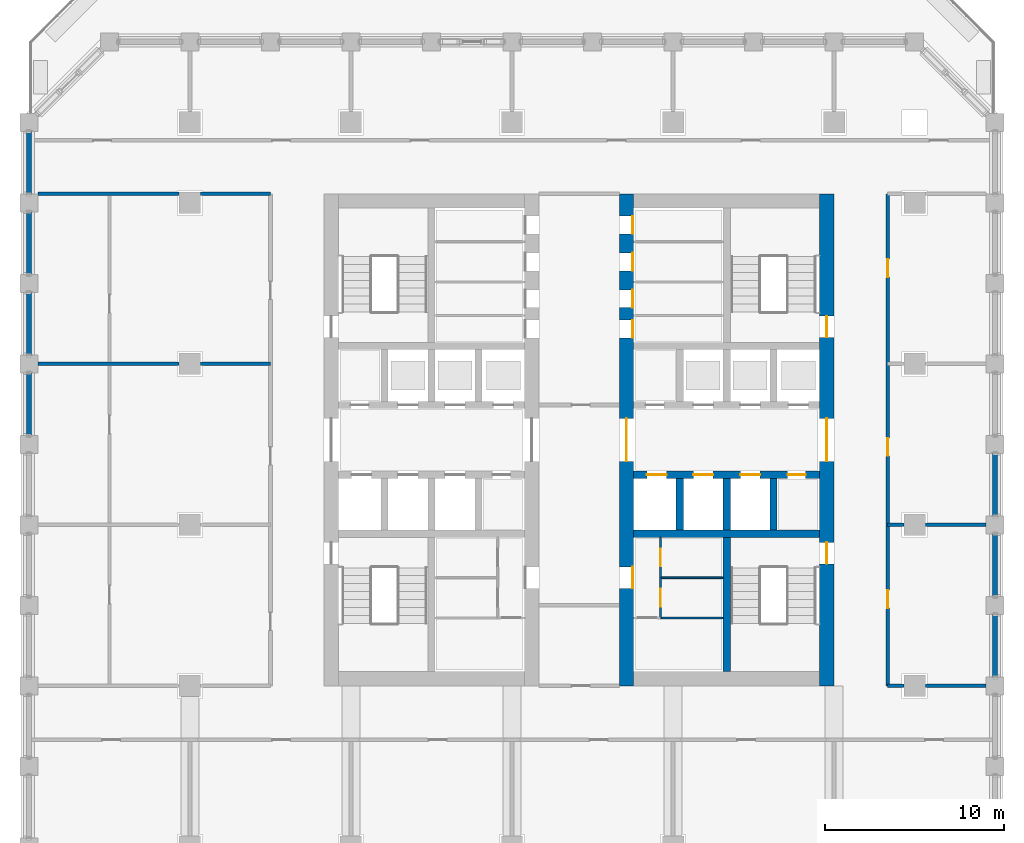
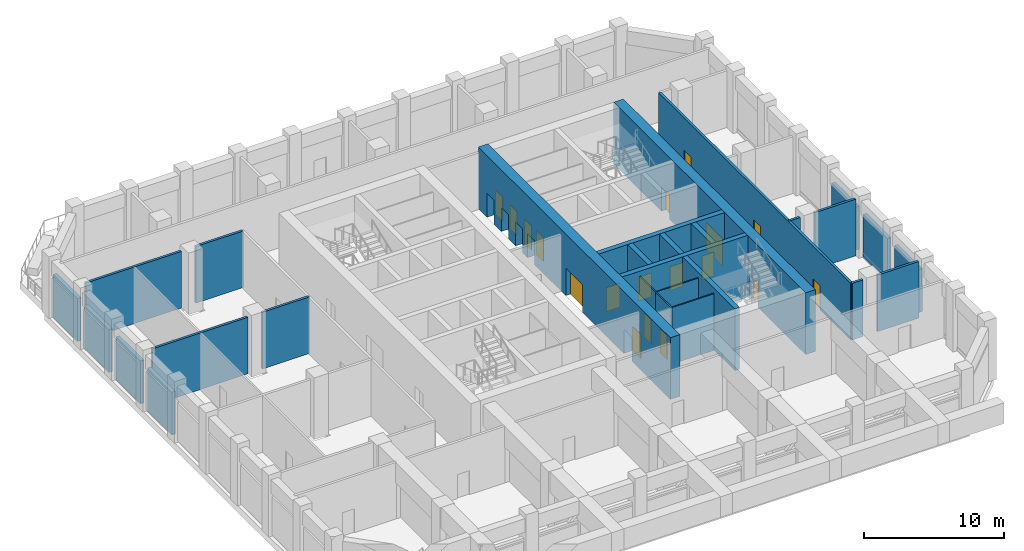
# One storey, part 5 of 20: 28 walls, 18 doors, 18 openings.
"""IFC4 building model written with IfcOpenShell, lengths in metres."""

from ifc_helpers import new_model, si_unit, direction, frame, frame_2d, origin, place, context, subcontext, project, spatial, rectangle, extrude, material, layer, layer_set, type_object, element, fill, save


model = new_model("IFC4")

# Units and contexts
model_context = context("Model", 3, precision=1e-05, world=origin(), true_north=direction((0.0, 1.0)))
body_context = subcontext(model_context, "Body", "Model", "MODEL_VIEW")
ifc_project = project(units=[si_unit("LENGTHUNIT", "METRE"), si_unit("AREAUNIT", "SQUARE_METRE"), si_unit("VOLUMEUNIT", "CUBIC_METRE"), si_unit("PLANEANGLEUNIT", "RADIAN"), si_unit("MASSUNIT", "GRAM", prefix="KILO")], contexts=[model_context])

# Site, building, storey
site_placement = place(None, origin())
site = spatial("IfcSite", under=ifc_project, at=site_placement, CompositionType="ELEMENT")
building_placement = place(site_placement, origin())
building = spatial("IfcBuilding", under=site, at=building_placement, Name="Corbel Stack Research Tower", CompositionType="ELEMENT")
storey_placement = place(building_placement, frame((0.0, 0.0, 151.39990234375)))
storey = spatial("IfcBuildingStorey", under=building, at=storey_placement, Name="L34", CompositionType="ELEMENT", Elevation=151.39990234375)

# Wall
ifc_material_1 = material(Name="Concrete C60/75", Category="concrete")
ifc_layer_1 = layer(ifc_material_1, 0.39990234375)
ifc_layer_set_1 = layer_set([ifc_layer_1], Name="Concrete C60/75")
wall_type_1 = type_object("IfcWallType", Name="CW-400-60", PredefinedType="SHEAR", material=ifc_layer_set_1)
wall_1_placement = place(storey_placement, frame((6.800048828125, -0.5, 0.0), z_axis=(0.0, 0.0, 1.0), x_axis=(1.0, 0.0, 0.0)))
element("IfcWall", 1, at=wall_1_placement, inside=storey, type_object=wall_type_1, Name="East core wall, south row back L34", PredefinedType="SHEAR", context=body_context, shape_type="SweptSolid", body=[
    extrude(rectangle(XDim=10.39990234375, YDim=0.39990234375, at=frame_2d((5.199951171875, 0.0))), origin(), (0.0, 0.0, 1.0), 5.400146484375),
])

# Wall, openings, doors
wall_2_placement = place(storey_placement, frame((6.800048828125, 2.800048828125, 0.0), z_axis=(0.0, 0.0, 1.0), x_axis=(1.0, 0.0, 0.0)))
wall_2 = element("IfcWall", 2, at=wall_2_placement, inside=storey, type_object=wall_type_1, Name="East core wall, lobby south L34", PredefinedType="SHEAR", context=body_context, shape_type="SweptSolid", body=[
    extrude(rectangle(XDim=10.39990234375, YDim=0.39990234375, at=frame_2d((5.199951171875, 0.0))), origin(), (0.0, 0.0, 1.0), 5.400146484375),
])
opening_1_placement = place(wall_2_placement, frame((0.737548828125, 0.0, 0.0)))
opening_1 = element("IfcOpeningElement", 3, at=opening_1_placement, cuts=wall_2, Name="Opening LD-FS2", PredefinedType="OPENING", context=body_context, shape_type="SweptSolid", body=[
    extrude(rectangle(XDim=1.10009765625, YDim=2.10009765625, at=frame_2d((0.550048828125, 1.050048828125))), frame((0.0, 0.2099609375, 0.0), z_axis=(0.0, -1.0, 0.0), x_axis=(1.0, 0.0, 0.0)), (0.0, 0.0, 1.0), 0.419921875),
])
opening_2_placement = place(wall_2_placement, frame((3.33740234375, 0.0, 0.0)))
opening_2 = element("IfcOpeningElement", 4, at=opening_2_placement, cuts=wall_2, Name="Opening LD-GL2", PredefinedType="OPENING", context=body_context, shape_type="SweptSolid", body=[
    extrude(rectangle(XDim=1.10009765625, YDim=2.10009765625, at=frame_2d((0.550048828125, 1.050048828125))), frame((0.0, 0.2099609375, 0.0), z_axis=(0.0, -1.0, 0.0), x_axis=(1.0, 0.0, 0.0)), (0.0, 0.0, 1.0), 0.419921875),
])
opening_3_placement = place(wall_2_placement, frame((5.96240234375, 0.0, 0.0)))
opening_3 = element("IfcOpeningElement", 5, at=opening_3_placement, cuts=wall_2, Name="Opening LD-SH2", PredefinedType="OPENING", context=body_context, shape_type="SweptSolid", body=[
    extrude(rectangle(XDim=1.10009765625, YDim=2.10009765625, at=frame_2d((0.550048828125, 1.050048828125))), frame((0.0, 0.2099609375, 0.0), z_axis=(0.0, -1.0, 0.0), x_axis=(1.0, 0.0, 0.0)), (0.0, 0.0, 1.0), 0.419921875),
])
opening_4_placement = place(wall_2_placement, frame((8.612548828125, 0.0, 0.0)))
opening_4 = element("IfcOpeningElement", 6, at=opening_4_placement, cuts=wall_2, Name="Opening CR-E66-S4", PredefinedType="OPENING", context=body_context, shape_type="SweptSolid", body=[
    extrude(rectangle(XDim=1.0, YDim=2.10009765625, at=frame_2d((0.5, 1.050048828125))), frame((0.0, 0.2099609375, 0.0), z_axis=(0.0, -1.0, 0.0), x_axis=(1.0, 0.0, 0.0)), (0.0, 0.0, 1.0), 0.419921875),
])
ifc_material_2 = material(Name="Stainless steel landing door", Category="steel")
door_type_1 = type_object("IfcDoorType", Name="Lift landing door 1100 x 2100", OperationType="DOUBLE_DOOR_SLIDING", PredefinedType="DOOR", material=ifc_material_2)
door_1_placement = place(opening_1_placement, origin())
door_1 = element("IfcDoor", 7, at=door_1_placement, inside=storey, type_object=door_type_1, Name="Landing door FS2", OperationType="DOUBLE_DOOR_SLIDING", OverallHeight=2.10009765625, OverallWidth=1.10009765625, PredefinedType="DOOR", context=body_context, shape_type="SweptSolid", body=[
    extrude(rectangle(XDim=1.10009765625, YDim=2.10009765625, at=frame_2d((0.550048828125, 1.050048828125))), frame((0.0, 0.02490234375, 0.0), z_axis=(0.0, -1.0, 0.0), x_axis=(1.0, 0.0, 0.0)), (0.0, 0.0, 1.0), 0.050048828125),
])
fill(opening_1, door_1)
door_2_placement = place(opening_2_placement, origin())
door_2 = element("IfcDoor", 8, at=door_2_placement, inside=storey, type_object=door_type_1, Name="Landing door GL2", OperationType="DOUBLE_DOOR_SLIDING", OverallHeight=2.10009765625, OverallWidth=1.10009765625, PredefinedType="DOOR", context=body_context, shape_type="SweptSolid", body=[
    extrude(rectangle(XDim=1.10009765625, YDim=2.10009765625, at=frame_2d((0.550048828125, 1.050048828125))), frame((0.0, 0.02490234375, 0.0), z_axis=(0.0, -1.0, 0.0), x_axis=(1.0, 0.0, 0.0)), (0.0, 0.0, 1.0), 0.050048828125),
])
fill(opening_2, door_2)
door_3_placement = place(opening_3_placement, origin())
door_3 = element("IfcDoor", 9, at=door_3_placement, inside=storey, type_object=door_type_1, Name="Landing door SH2", OperationType="DOUBLE_DOOR_SLIDING", OverallHeight=2.10009765625, OverallWidth=1.10009765625, PredefinedType="DOOR", context=body_context, shape_type="SweptSolid", body=[
    extrude(rectangle(XDim=1.10009765625, YDim=2.10009765625, at=frame_2d((0.550048828125, 1.050048828125))), frame((0.0, 0.02490234375, 0.0), z_axis=(0.0, -1.0, 0.0), x_axis=(1.0, 0.0, 0.0)), (0.0, 0.0, 1.0), 0.050048828125),
])
fill(opening_3, door_3)
ifc_material_3 = material(Name="Painted steel door", Category="steel")
door_type_2 = type_object("IfcDoorType", Name="Service door 1000 x 2100 FD60 right hand", OperationType="SINGLE_SWING_RIGHT", PredefinedType="DOOR", material=ifc_material_3)
door_4_placement = place(opening_4_placement, origin())
door_4 = element("IfcDoor", 10, at=door_4_placement, inside=storey, type_object=door_type_2, Name="Records store door E core", OperationType="SINGLE_SWING_RIGHT", OverallHeight=2.10009765625, OverallWidth=1.0, PredefinedType="DOOR", context=body_context, shape_type="SweptSolid", body=[
    extrude(rectangle(XDim=1.0, YDim=2.10009765625, at=frame_2d((0.5, 1.050048828125))), frame((0.0, 0.02490234375, 0.0), z_axis=(0.0, -1.0, 0.0), x_axis=(1.0, 0.0, 0.0)), (0.0, 0.0, 1.0), 0.050048828125),
])
fill(opening_4, door_4)

# Walls
for number, where, z_axis, x_axis, name in (
    (11, (9.375, -0.300048828125, 0.0), (0.0, 0.0, 1.0), (0.0, 1.0, 0.0), "East core wall, south shaft 1 L34"),
    (12, (12.0, -0.300048828125, 0.0), (0.0, 0.0, 1.0), (0.0, 1.0, 0.0), "East core wall, south shaft 2 L34"),
    (13, (14.625, -0.300048828125, 0.0), (0.0, 0.0, 1.0), (0.0, 1.0, 0.0), "East core wall, south shaft 3 L34"),
):
    element("IfcWall", number, at=place(storey_placement, frame(where, z_axis=z_axis, x_axis=x_axis)), inside=storey, type_object=wall_type_1, Name=name, PredefinedType="SHEAR", context=body_context, shape_type="SweptSolid", body=[
        extrude(rectangle(XDim=2.900146484375, YDim=0.39990234375, at=frame_2d((1.4501953125, 0.0))), origin(), (0.0, 0.0, 1.0), 5.400146484375),
    ])
wall_3_placement = place(storey_placement, frame((12.0, -8.199951171875, 0.0), z_axis=(0.0, 0.0, 1.0), x_axis=(0.0, 1.0, 0.0)))
element("IfcWall", 14, at=wall_3_placement, inside=storey, type_object=wall_type_1, Name="East core wall, south stair and WC L34", PredefinedType="SHEAR", context=body_context, shape_type="SweptSolid", body=[
    extrude(rectangle(XDim=7.5, YDim=0.39990234375, at=frame_2d((3.75, 0.0))), origin(), (0.0, 0.0, 1.0), 5.400146484375),
])

# Wall, openings, doors
ifc_material_4 = material(Name="Concrete C60/75", Category="concrete")
ifc_layer_2 = layer(ifc_material_4, 0.800048828125)
ifc_layer_set_2 = layer_set([ifc_layer_2], Name="Concrete C60/75")
wall_type_2 = type_object("IfcWallType", Name="CW-800-60", PredefinedType="SHEAR", material=ifc_layer_set_2)
wall_4_placement = place(storey_placement, frame((6.39990234375, -9.0, 0.0), z_axis=(0.0, 0.0, 1.0), x_axis=(0.0, 1.0, 0.0)))
wall_4 = element("IfcWall", 15, at=wall_4_placement, inside=storey, type_object=wall_type_2, Name="East core wall, west face L34", PredefinedType="SHEAR", context=body_context, shape_type="SweptSolid", body=[
    extrude(rectangle(XDim=27.5, YDim=0.800048828125, at=frame_2d((13.75, 0.0))), origin(), (0.0, 0.0, 1.0), 5.400146484375),
])
opening_5_placement = place(wall_4_placement, frame((12.550048828125, 0.0, 0.0)))
opening_5 = element("IfcOpeningElement", 16, at=opening_5_placement, cuts=wall_4, Name="Opening CD-E-W", PredefinedType="OPENING", context=body_context, shape_type="SweptSolid", body=[
    extrude(rectangle(XDim=2.39990234375, YDim=2.39990234375, at=frame_2d((1.199951171875, 1.199951171875))), frame((0.0, 0.409912109375, 0.0), z_axis=(0.0, -1.0, 0.0), x_axis=(1.0, 0.0, 0.0)), (0.0, 0.0, 1.0), 0.820068359375),
])
opening_6_placement = place(wall_4_placement, frame((5.449951171875, 0.0, 0.0)))
opening_6 = element("IfcOpeningElement", 17, at=opening_6_placement, cuts=wall_4, Name="Opening CR-E66-W1-1200", PredefinedType="OPENING", context=body_context, shape_type="SweptSolid", body=[
    extrude(rectangle(XDim=1.199951171875, YDim=2.10009765625, at=frame_2d((0.60009765625, 1.050048828125))), frame((0.0, 0.409912109375, 0.0), z_axis=(0.0, -1.0, 0.0), x_axis=(1.0, 0.0, 0.0)), (0.0, 0.0, 1.0), 0.820068359375),
])
opening_7_placement = place(wall_4_placement, frame((19.449951171875, 0.0, 0.0)))
opening_7 = element("IfcOpeningElement", 18, at=opening_7_placement, cuts=wall_4, Name="Opening CR-E66-R1-1000", PredefinedType="OPENING", context=body_context, shape_type="SweptSolid", body=[
    extrude(rectangle(XDim=1.0, YDim=2.10009765625, at=frame_2d((0.5, 1.050048828125))), frame((0.0, 0.409912109375, 0.0), z_axis=(0.0, -1.0, 0.0), x_axis=(1.0, 0.0, 0.0)), (0.0, 0.0, 1.0), 0.820068359375),
])
opening_8_placement = place(wall_4_placement, frame((21.137451171875, 0.0, 0.0)))
opening_8 = element("IfcOpeningElement", 19, at=opening_8_placement, cuts=wall_4, Name="Opening CR-E66-R2-1000", PredefinedType="OPENING", context=body_context, shape_type="SweptSolid", body=[
    extrude(rectangle(XDim=1.0, YDim=2.10009765625, at=frame_2d((0.5, 1.050048828125))), frame((0.0, 0.409912109375, 0.0), z_axis=(0.0, -1.0, 0.0), x_axis=(1.0, 0.0, 0.0)), (0.0, 0.0, 1.0), 0.820068359375),
])
opening_9_placement = place(wall_4_placement, frame((23.199951171875, 0.0, 0.0)))
opening_9 = element("IfcOpeningElement", 20, at=opening_9_placement, cuts=wall_4, Name="Opening CR-E66-R3-1000", PredefinedType="OPENING", context=body_context, shape_type="SweptSolid", body=[
    extrude(rectangle(XDim=1.0, YDim=2.10009765625, at=frame_2d((0.5, 1.050048828125))), frame((0.0, 0.409912109375, 0.0), z_axis=(0.0, -1.0, 0.0), x_axis=(1.0, 0.0, 0.0)), (0.0, 0.0, 1.0), 0.820068359375),
])
opening_10_placement = place(wall_4_placement, frame((25.262451171875, 0.0, 0.0)))
opening_10 = element("IfcOpeningElement", 21, at=opening_10_placement, cuts=wall_4, Name="Opening CR-E66-R4-1000", PredefinedType="OPENING", context=body_context, shape_type="SweptSolid", body=[
    extrude(rectangle(XDim=1.0, YDim=2.10009765625, at=frame_2d((0.5, 1.050048828125))), frame((0.0, 0.409912109375, 0.0), z_axis=(0.0, -1.0, 0.0), x_axis=(1.0, 0.0, 0.0)), (0.0, 0.0, 1.0), 0.820068359375),
])
ifc_material_5 = material(Name="Painted steel fire door", Category="steel")
door_type_3 = type_object("IfcDoorType", Name="Lobby door pair 2400 x 2400 FD30S", OperationType="DOUBLE_DOOR_DOUBLE_SWING", PredefinedType="DOOR", material=ifc_material_5)
door_5_placement = place(opening_5_placement, origin())
door_5 = element("IfcDoor", 22, at=door_5_placement, inside=storey, type_object=door_type_3, Name="Lift lobby door E core W", OperationType="DOUBLE_DOOR_DOUBLE_SWING", OverallHeight=2.39990234375, OverallWidth=2.39990234375, PredefinedType="DOOR", context=body_context, shape_type="SweptSolid", body=[
    extrude(rectangle(XDim=2.39990234375, YDim=2.39990234375, at=frame_2d((1.199951171875, 1.199951171875))), frame((0.0, 0.02490234375, 0.0), z_axis=(0.0, -1.0, 0.0), x_axis=(1.0, 0.0, 0.0)), (0.0, 0.0, 1.0), 0.050048828125),
])
fill(opening_5, door_5)
ifc_material_6 = material(Name="Painted steel door", Category="steel")
door_type_4 = type_object("IfcDoorType", Name="Riser door 1000 x 2100 FD60 left hand", OperationType="SINGLE_SWING_LEFT", PredefinedType="DOOR", material=ifc_material_6)
door_6_placement = place(opening_8_placement, origin())
door_6 = element("IfcDoor", 23, at=door_6_placement, inside=storey, type_object=door_type_4, Name="Telecom plant room door E core", OperationType="SINGLE_SWING_LEFT", OverallHeight=2.10009765625, OverallWidth=1.0, PredefinedType="DOOR", context=body_context, shape_type="SweptSolid", body=[
    extrude(rectangle(XDim=1.0, YDim=2.10009765625, at=frame_2d((0.5, 1.050048828125))), frame((0.0, -0.3251953125, 0.0), z_axis=(0.0, -1.0, 0.0), x_axis=(1.0, 0.0, 0.0)), (0.0, 0.0, 1.0), 0.050048828125),
])
fill(opening_8, door_6)
ifc_material_7 = material(Name="Painted steel door", Category="steel")
door_type_5 = type_object("IfcDoorType", Name="Riser door 1000 x 2100 FD60 right hand", OperationType="SINGLE_SWING_RIGHT", PredefinedType="DOOR", material=ifc_material_7)
door_7_placement = place(opening_7_placement, origin())
door_7 = element("IfcDoor", 24, at=door_7_placement, inside=storey, type_object=door_type_5, Name="Electrical plant riser door E core", OperationType="SINGLE_SWING_RIGHT", OverallHeight=2.10009765625, OverallWidth=1.0, PredefinedType="DOOR", context=body_context, shape_type="SweptSolid", body=[
    extrude(rectangle(XDim=1.0, YDim=2.10009765625, at=frame_2d((0.5, 1.050048828125))), frame((0.0, -0.3251953125, 0.0), z_axis=(0.0, -1.0, 0.0), x_axis=(1.0, 0.0, 0.0)), (0.0, 0.0, 1.0), 0.050048828125),
])
fill(opening_7, door_7)
ifc_material_8 = material(Name="Painted steel door", Category="steel")
door_type_6 = type_object("IfcDoorType", Name="Service door 1000 x 2100 FD30 left hand", OperationType="SINGLE_SWING_LEFT", PredefinedType="DOOR", material=ifc_material_8)
door_8_placement = place(opening_10_placement, origin())
door_8 = element("IfcDoor", 25, at=door_8_placement, inside=storey, type_object=door_type_6, Name="Cleaner's store door E core", OperationType="SINGLE_SWING_LEFT", OverallHeight=2.10009765625, OverallWidth=1.0, PredefinedType="DOOR", context=body_context, shape_type="SweptSolid", body=[
    extrude(rectangle(XDim=1.0, YDim=2.10009765625, at=frame_2d((0.5, 1.050048828125))), frame((0.0, -0.3251953125, 0.0), z_axis=(0.0, -1.0, 0.0), x_axis=(1.0, 0.0, 0.0)), (0.0, 0.0, 1.0), 0.050048828125),
])
fill(opening_10, door_8)
ifc_material_9 = material(Name="Painted steel door", Category="steel")
door_type_7 = type_object("IfcDoorType", Name="Service door 1000 x 2100 FD30 right hand", OperationType="SINGLE_SWING_RIGHT", PredefinedType="DOOR", material=ifc_material_9)
door_9_placement = place(opening_9_placement, origin())
door_9 = element("IfcDoor", 26, at=door_9_placement, inside=storey, type_object=door_type_7, Name="Pantry door E core", OperationType="SINGLE_SWING_RIGHT", OverallHeight=2.10009765625, OverallWidth=1.0, PredefinedType="DOOR", context=body_context, shape_type="SweptSolid", body=[
    extrude(rectangle(XDim=1.0, YDim=2.10009765625, at=frame_2d((0.5, 1.050048828125))), frame((0.0, -0.3251953125, 0.0), z_axis=(0.0, -1.0, 0.0), x_axis=(1.0, 0.0, 0.0)), (0.0, 0.0, 1.0), 0.050048828125),
])
fill(opening_9, door_9)
ifc_material_10 = material(Name="Painted timber door", Category="wood")
door_type_8 = type_object("IfcDoorType", Name="WC door 1200 x 2100 right hand", OperationType="SINGLE_SWING_RIGHT", PredefinedType="DOOR", material=ifc_material_10)
door_10_placement = place(opening_6_placement, origin())
door_10 = element("IfcDoor", 27, at=door_10_placement, inside=storey, type_object=door_type_8, Name="WC lobby door E core", OperationType="SINGLE_SWING_RIGHT", OverallHeight=2.10009765625, OverallWidth=1.199951171875, PredefinedType="DOOR", context=body_context, shape_type="SweptSolid", body=[
    extrude(rectangle(XDim=1.199951171875, YDim=2.10009765625, at=frame_2d((0.60009765625, 1.050048828125))), frame((0.0, -0.3251953125, 0.0), z_axis=(0.0, -1.0, 0.0), x_axis=(1.0, 0.0, 0.0)), (0.0, 0.0, 1.0), 0.050048828125),
])
fill(opening_6, door_10)

wall_5_placement = place(storey_placement, frame((17.60009765625, -9.0, 0.0), z_axis=(0.0, 0.0, 1.0), x_axis=(0.0, 1.0, 0.0)))
wall_5 = element("IfcWall", 28, at=wall_5_placement, inside=storey, type_object=wall_type_2, Name="East core wall, east face L34", PredefinedType="SHEAR", context=body_context, shape_type="SweptSolid", body=[
    extrude(rectangle(XDim=27.5, YDim=0.800048828125, at=frame_2d((13.75, 0.0))), origin(), (0.0, 0.0, 1.0), 5.400146484375),
])
opening_11_placement = place(wall_5_placement, frame((12.550048828125, 0.0, 0.0)))
opening_11 = element("IfcOpeningElement", 29, at=opening_11_placement, cuts=wall_5, Name="Opening CD-E-E", PredefinedType="OPENING", context=body_context, shape_type="SweptSolid", body=[
    extrude(rectangle(XDim=2.39990234375, YDim=2.39990234375, at=frame_2d((1.199951171875, 1.199951171875))), frame((0.0, 0.409912109375, 0.0), z_axis=(0.0, -1.0, 0.0), x_axis=(1.0, 0.0, 0.0)), (0.0, 0.0, 1.0), 0.820068359375),
])
opening_12_placement = place(wall_5_placement, frame((6.824951171875, 0.0, 0.0)))
opening_12 = element("IfcOpeningElement", 30, at=opening_12_placement, cuts=wall_5, Name="Opening SD-ST-E1", PredefinedType="OPENING", context=body_context, shape_type="SweptSolid", body=[
    extrude(rectangle(XDim=1.199951171875, YDim=2.10009765625, at=frame_2d((0.60009765625, 1.050048828125))), frame((0.0, 0.409912109375, 0.0), z_axis=(0.0, -1.0, 0.0), x_axis=(1.0, 0.0, 0.0)), (0.0, 0.0, 1.0), 0.820068359375),
])
opening_13_placement = place(wall_5_placement, frame((19.47509765625, 0.0, 0.0)))
opening_13 = element("IfcOpeningElement", 31, at=opening_13_placement, cuts=wall_5, Name="Opening SD-ST-E2", PredefinedType="OPENING", context=body_context, shape_type="SweptSolid", body=[
    extrude(rectangle(XDim=1.199951171875, YDim=2.10009765625, at=frame_2d((0.60009765625, 1.050048828125))), frame((0.0, 0.409912109375, 0.0), z_axis=(0.0, -1.0, 0.0), x_axis=(1.0, 0.0, 0.0)), (0.0, 0.0, 1.0), 0.820068359375),
])
door_11_placement = place(opening_11_placement, origin())
door_11 = element("IfcDoor", 32, at=door_11_placement, inside=storey, type_object=door_type_3, Name="Lift lobby door E core E", OperationType="DOUBLE_DOOR_DOUBLE_SWING", OverallHeight=2.39990234375, OverallWidth=2.39990234375, PredefinedType="DOOR", context=body_context, shape_type="SweptSolid", body=[
    extrude(rectangle(XDim=2.39990234375, YDim=2.39990234375, at=frame_2d((1.199951171875, 1.199951171875))), frame((0.0, 0.02490234375, 0.0), z_axis=(0.0, -1.0, 0.0), x_axis=(1.0, 0.0, 0.0)), (0.0, 0.0, 1.0), 0.050048828125),
])
fill(opening_11, door_11)
ifc_material_11 = material(Name="Painted steel fire door", Category="steel")
door_type_9 = type_object("IfcDoorType", Name="Stair door 1200 x 2100 FD90 right hand", OperationType="SINGLE_SWING_RIGHT", PredefinedType="DOOR", material=ifc_material_11)
door_12_placement = place(opening_12_placement, frame((1.199951171875, 0.0, 0.0), z_axis=(0.0, 0.0, 1.0), x_axis=(-1.0, 0.0, 0.0)))
door_12 = element("IfcDoor", 33, at=door_12_placement, inside=storey, type_object=door_type_9, Name="Stair door ST-E1", OperationType="SINGLE_SWING_LEFT", OverallHeight=2.10009765625, OverallWidth=1.199951171875, PredefinedType="DOOR", context=body_context, shape_type="SweptSolid", body=[
    extrude(rectangle(XDim=1.199951171875, YDim=2.10009765625, at=frame_2d((0.60009765625, 1.050048828125))), frame((0.0, 0.02490234375, 0.0), z_axis=(0.0, -1.0, 0.0), x_axis=(1.0, 0.0, 0.0)), (0.0, 0.0, 1.0), 0.050048828125),
])
fill(opening_12, door_12)
door_13_placement = place(opening_13_placement, frame((1.199951171875, 0.0, 0.0), z_axis=(0.0, 0.0, 1.0), x_axis=(-1.0, 0.0, 0.0)))
door_13 = element("IfcDoor", 34, at=door_13_placement, inside=storey, type_object=door_type_9, Name="Stair door ST-E2", OperationType="SINGLE_SWING_LEFT", OverallHeight=2.10009765625, OverallWidth=1.199951171875, PredefinedType="DOOR", context=body_context, shape_type="SweptSolid", body=[
    extrude(rectangle(XDim=1.199951171875, YDim=2.10009765625, at=frame_2d((0.60009765625, 1.050048828125))), frame((0.0, 0.02490234375, 0.0), z_axis=(0.0, -1.0, 0.0), x_axis=(1.0, 0.0, 0.0)), (0.0, 0.0, 1.0), 0.050048828125),
])
fill(opening_13, door_13)

# Wall, opening, door
ifc_material_12 = material(Name="Gypsum board")
ifc_layer_3 = layer(ifc_material_12, 0.10009765625)
ifc_layer_set_3 = layer_set([ifc_layer_3], Name="Gypsum board")
wall_type_3 = type_object("IfcWallType", Name="Core partition 100", PredefinedType="PARTITIONING", material=ifc_layer_set_3)
wall_6_placement = place(storey_placement, frame((8.300048828125, -5.199951171875, 0.0), z_axis=(0.0, 0.0, 1.0), x_axis=(0.0, 1.0, 0.0)))
wall_6 = element("IfcWall", 35, at=wall_6_placement, inside=storey, type_object=wall_type_3, Name="Core partition E", PredefinedType="PARTITIONING", context=body_context, shape_type="SweptSolid", body=[
    extrude(rectangle(XDim=2.25, YDim=0.10009765625, at=frame_2d((1.125, 0.0))), origin(), (0.0, 0.0, 1.0), 4.9501953125),
])
opening_14_placement = place(wall_6_placement, frame((0.625, 0.0, 0.0)))
opening_14 = element("IfcOpeningElement", 36, at=opening_14_placement, cuts=wall_6, Name="Opening CR-E66-W3-1000", PredefinedType="OPENING", context=body_context, shape_type="SweptSolid", body=[
    extrude(rectangle(XDim=1.0, YDim=2.10009765625, at=frame_2d((0.5, 1.050048828125))), frame((0.0, 0.06005859375, 0.0), z_axis=(0.0, -1.0, 0.0), x_axis=(1.0, 0.0, 0.0)), (0.0, 0.0, 1.0), 0.1201171875),
])
ifc_material_13 = material(Name="Painted timber door", Category="wood")
door_type_10 = type_object("IfcDoorType", Name="WC door 1000 x 2100 right hand", OperationType="SINGLE_SWING_RIGHT", PredefinedType="DOOR", material=ifc_material_13)
door_14_placement = place(opening_14_placement, origin())
door_14 = element("IfcDoor", 37, at=door_14_placement, inside=storey, type_object=door_type_10, Name="Men's WC door E core", OperationType="SINGLE_SWING_RIGHT", OverallHeight=2.10009765625, OverallWidth=1.0, PredefinedType="DOOR", context=body_context, shape_type="SweptSolid", body=[
    extrude(rectangle(XDim=1.0, YDim=2.10009765625, at=frame_2d((0.5, 1.050048828125))), frame((0.0, 0.02490234375, 0.0), z_axis=(0.0, -1.0, 0.0), x_axis=(1.0, 0.0, 0.0)), (0.0, 0.0, 1.0), 0.050048828125),
])
fill(opening_14, door_14)

wall_7_placement = place(storey_placement, frame((8.300048828125, -2.949951171875, 0.0), z_axis=(0.0, 0.0, 1.0), x_axis=(0.0, 1.0, 0.0)))
wall_7 = element("IfcWall", 38, at=wall_7_placement, inside=storey, type_object=wall_type_3, Name="Core partition E", PredefinedType="PARTITIONING", context=body_context, shape_type="SweptSolid", body=[
    extrude(rectangle(XDim=2.25, YDim=0.10009765625, at=frame_2d((1.125, 0.0))), origin(), (0.0, 0.0, 1.0), 4.9501953125),
])
opening_15_placement = place(wall_7_placement, frame((0.625, 0.0, 0.0)))
opening_15 = element("IfcOpeningElement", 39, at=opening_15_placement, cuts=wall_7, Name="Opening CR-E66-W4-1000", PredefinedType="OPENING", context=body_context, shape_type="SweptSolid", body=[
    extrude(rectangle(XDim=1.0, YDim=2.10009765625, at=frame_2d((0.5, 1.050048828125))), frame((0.0, 0.06005859375, 0.0), z_axis=(0.0, -1.0, 0.0), x_axis=(1.0, 0.0, 0.0)), (0.0, 0.0, 1.0), 0.1201171875),
])
ifc_material_14 = material(Name="Painted timber door", Category="wood")
door_type_11 = type_object("IfcDoorType", Name="WC door 1000 x 2100 left hand", OperationType="SINGLE_SWING_LEFT", PredefinedType="DOOR", material=ifc_material_14)
door_15_placement = place(opening_15_placement, origin())
door_15 = element("IfcDoor", 40, at=door_15_placement, inside=storey, type_object=door_type_11, Name="Women's WC door E core", OperationType="SINGLE_SWING_LEFT", OverallHeight=2.10009765625, OverallWidth=1.0, PredefinedType="DOOR", context=body_context, shape_type="SweptSolid", body=[
    extrude(rectangle(XDim=1.0, YDim=2.10009765625, at=frame_2d((0.5, 1.050048828125))), frame((0.0, 0.02490234375, 0.0), z_axis=(0.0, -1.0, 0.0), x_axis=(1.0, 0.0, 0.0)), (0.0, 0.0, 1.0), 0.050048828125),
])
fill(opening_15, door_15)

# Walls
for number, where, z_axis, x_axis, name in (
    (41, (8.300048828125, -5.199951171875, 0.0), (0.0, 0.0, 1.0), (1.0, 0.0, 0.0), "Core partition E"),
    (42, (8.300048828125, -2.949951171875, 0.0), (0.0, 0.0, 1.0), (1.0, 0.0, 0.0), "Core partition E"),
):
    element("IfcWall", number, at=place(storey_placement, frame(where, z_axis=z_axis, x_axis=x_axis)), inside=storey, type_object=wall_type_3, Name=name, PredefinedType="PARTITIONING", context=body_context, shape_type="SweptSolid", body=[
        extrude(rectangle(XDim=3.5, YDim=0.10009765625, at=frame_2d((1.75, 0.0))), origin(), (0.0, 0.0, 1.0), 4.9501953125),
    ])

# Wall, openings, doors
ifc_material_15 = material(Name="Fire-rated gypsum board partition on steel studs", Category="steel")
ifc_layer_4 = layer(ifc_material_15, 0.199951171875)
ifc_layer_set_4 = layer_set([ifc_layer_4], Name="Fire-rated gypsum board partition on steel studs")
wall_type_4 = type_object("IfcWallType", Name="Fire-rated partition 200 EI 60", PredefinedType="PARTITIONING", material=ifc_layer_set_4)
wall_8_placement = place(storey_placement, frame((21.0, 18.5, 0.0), z_axis=(0.0, 0.0, 1.0), x_axis=(0.0, -1.0, 0.0)))
wall_8 = element("IfcWall", 43, at=wall_8_placement, inside=storey, type_object=wall_type_4, Name="Partition L34-018", PredefinedType="PARTITIONING", context=body_context, shape_type="SweptSolid", body=[
    extrude(rectangle(XDim=27.5, YDim=0.199951171875, at=frame_2d((13.75, 0.0))), origin(), (0.0, 0.0, 1.0), 4.9501953125),
])
opening_16_placement = place(wall_8_placement, frame((22.14990234375, 0.0, 0.0)))
opening_16 = element("IfcOpeningElement", 44, at=opening_16_placement, cuts=wall_8, Name="Opening PLANTL34-015", PredefinedType="OPENING", context=body_context, shape_type="SweptSolid", body=[
    extrude(rectangle(XDim=1.0, YDim=2.10009765625, at=frame_2d((0.5, 1.050048828125))), frame((0.0, 0.10986328125, 0.0), z_axis=(0.0, -1.0, 0.0), x_axis=(1.0, 0.0, 0.0)), (0.0, 0.0, 1.0), 0.219970703125),
])
opening_17_placement = place(wall_8_placement, frame((13.64990234375, 0.0, 0.0)))
opening_17 = element("IfcOpeningElement", 45, at=opening_17_placement, cuts=wall_8, Name="Opening PLANTL34-016", PredefinedType="OPENING", context=body_context, shape_type="SweptSolid", body=[
    extrude(rectangle(XDim=1.0, YDim=2.10009765625, at=frame_2d((0.5, 1.050048828125))), frame((0.0, 0.10986328125, 0.0), z_axis=(0.0, -1.0, 0.0), x_axis=(1.0, 0.0, 0.0)), (0.0, 0.0, 1.0), 0.219970703125),
])
opening_18_placement = place(wall_8_placement, frame((3.64990234375, 0.0, 0.0)))
opening_18 = element("IfcOpeningElement", 46, at=opening_18_placement, cuts=wall_8, Name="Opening PLANTL34-017", PredefinedType="OPENING", context=body_context, shape_type="SweptSolid", body=[
    extrude(rectangle(XDim=1.0, YDim=2.10009765625, at=frame_2d((0.5, 1.050048828125))), frame((0.0, 0.10986328125, 0.0), z_axis=(0.0, -1.0, 0.0), x_axis=(1.0, 0.0, 0.0)), (0.0, 0.0, 1.0), 0.219970703125),
])
ifc_material_16 = material(Name="Painted steel fire door", Category="steel")
door_type_12 = type_object("IfcDoorType", Name="Fire door FD30S 1000 x 2100", OperationType="NOTDEFINED", PredefinedType="DOOR", material=ifc_material_16)
door_16_placement = place(opening_16_placement, origin())
door_16 = element("IfcDoor", 47, at=door_16_placement, inside=storey, type_object=door_type_12, Name="Door PLANTL34-015", OperationType="SINGLE_SWING_RIGHT", OverallHeight=2.10009765625, OverallWidth=1.0, PredefinedType="DOOR", context=body_context, shape_type="SweptSolid", body=[
    extrude(rectangle(XDim=1.0, YDim=2.10009765625, at=frame_2d((0.5, 1.050048828125))), frame((0.0, 0.02490234375, 0.0), z_axis=(0.0, -1.0, 0.0), x_axis=(1.0, 0.0, 0.0)), (0.0, 0.0, 1.0), 0.050048828125),
])
fill(opening_16, door_16)
door_17_placement = place(opening_17_placement, origin())
door_17 = element("IfcDoor", 48, at=door_17_placement, inside=storey, type_object=door_type_12, Name="Door PLANTL34-016", OperationType="SINGLE_SWING_RIGHT", OverallHeight=2.10009765625, OverallWidth=1.0, PredefinedType="DOOR", context=body_context, shape_type="SweptSolid", body=[
    extrude(rectangle(XDim=1.0, YDim=2.10009765625, at=frame_2d((0.5, 1.050048828125))), frame((0.0, 0.02490234375, 0.0), z_axis=(0.0, -1.0, 0.0), x_axis=(1.0, 0.0, 0.0)), (0.0, 0.0, 1.0), 0.050048828125),
])
fill(opening_17, door_17)
door_18_placement = place(opening_18_placement, origin())
door_18 = element("IfcDoor", 49, at=door_18_placement, inside=storey, type_object=door_type_12, Name="Door PLANTL34-017", OperationType="SINGLE_SWING_LEFT", OverallHeight=2.10009765625, OverallWidth=1.0, PredefinedType="DOOR", context=body_context, shape_type="SweptSolid", body=[
    extrude(rectangle(XDim=1.0, YDim=2.10009765625, at=frame_2d((0.5, 1.050048828125))), frame((0.0, 0.02490234375, 0.0), z_axis=(0.0, -1.0, 0.0), x_axis=(1.0, 0.0, 0.0)), (0.0, 0.0, 1.0), 0.050048828125),
])
fill(opening_18, door_18)

# Walls
wall_9_placement = place(storey_placement, frame((21.0, -9.0, 0.0), z_axis=(0.0, 0.0, 1.0), x_axis=(1.0, 0.0, 0.0)))
element("IfcWall", 50, at=wall_9_placement, inside=storey, type_object=wall_type_4, Name="Partition L34-033", PredefinedType="PARTITIONING", context=body_context, shape_type="SweptSolid", body=[
    extrude(rectangle(XDim=0.89990234375, YDim=0.199951171875, at=frame_2d((0.449951171875, 0.0))), origin(), (0.0, 0.0, 1.0), 4.9501953125),
])
wall_10_placement = place(storey_placement, frame((23.10009765625, -9.0, 0.0), z_axis=(0.0, 0.0, 1.0), x_axis=(1.0, 0.0, 0.0)))
element("IfcWall", 51, at=wall_10_placement, inside=storey, type_object=wall_type_4, Name="Partition L34-034", PredefinedType="PARTITIONING", context=body_context, shape_type="SweptSolid", body=[
    extrude(rectangle(XDim=3.39990234375, YDim=0.199951171875, at=frame_2d((1.699951171875, 0.0))), origin(), (0.0, 0.0, 1.0), 4.9501953125),
])
wall_11_placement = place(storey_placement, frame((21.0, 0.0, 0.0), z_axis=(0.0, 0.0, 1.0), x_axis=(1.0, 0.0, 0.0)))
element("IfcWall", 52, at=wall_11_placement, inside=storey, type_object=wall_type_4, Name="Partition L34-038", PredefinedType="PARTITIONING", context=body_context, shape_type="SweptSolid", body=[
    extrude(rectangle(XDim=0.89990234375, YDim=0.199951171875, at=frame_2d((0.449951171875, 0.0))), origin(), (0.0, 0.0, 1.0), 4.9501953125),
])
wall_12_placement = place(storey_placement, frame((23.10009765625, 0.0, 0.0), z_axis=(0.0, 0.0, 1.0), x_axis=(1.0, 0.0, 0.0)))
element("IfcWall", 53, at=wall_12_placement, inside=storey, type_object=wall_type_4, Name="Partition L34-039", PredefinedType="PARTITIONING", context=body_context, shape_type="SweptSolid", body=[
    extrude(rectangle(XDim=3.39990234375, YDim=0.199951171875, at=frame_2d((1.699951171875, 0.0))), origin(), (0.0, 0.0, 1.0), 4.9501953125),
])
wall_13_placement = place(storey_placement, frame((-26.5, 9.0, 0.0), z_axis=(0.0, 0.0, 1.0), x_axis=(1.0, 0.0, 0.0)))
element("IfcWall", 54, at=wall_13_placement, inside=storey, type_object=wall_type_4, Name="Partition L34-041", PredefinedType="PARTITIONING", context=body_context, shape_type="SweptSolid", body=[
    extrude(rectangle(XDim=7.89990234375, YDim=0.199951171875, at=frame_2d((3.949951171875, 0.0))), origin(), (0.0, 0.0, 1.0), 4.9501953125),
])
wall_14_placement = place(storey_placement, frame((-17.39990234375, 9.0, 0.0), z_axis=(0.0, 0.0, 1.0), x_axis=(1.0, 0.0, 0.0)))
element("IfcWall", 55, at=wall_14_placement, inside=storey, type_object=wall_type_4, Name="Partition L34-042", PredefinedType="PARTITIONING", context=body_context, shape_type="SweptSolid", body=[
    extrude(rectangle(XDim=3.89990234375, YDim=0.199951171875, at=frame_2d((1.949951171875, 0.0))), origin(), (0.0, 0.0, 1.0), 4.9501953125),
])
wall_15_placement = place(storey_placement, frame((-26.5, 18.5, 0.0), z_axis=(0.0, 0.0, 1.0), x_axis=(1.0, 0.0, 0.0)))
element("IfcWall", 56, at=wall_15_placement, inside=storey, type_object=wall_type_4, Name="Partition L34-045", PredefinedType="PARTITIONING", context=body_context, shape_type="SweptSolid", body=[
    extrude(rectangle(XDim=7.89990234375, YDim=0.199951171875, at=frame_2d((3.949951171875, 0.0))), origin(), (0.0, 0.0, 1.0), 4.9501953125),
])
wall_16_placement = place(storey_placement, frame((-17.39990234375, 18.5, 0.0), z_axis=(0.0, 0.0, 1.0), x_axis=(1.0, 0.0, 0.0)))
element("IfcWall", 57, at=wall_16_placement, inside=storey, type_object=wall_type_4, Name="Partition L34-046", PredefinedType="PARTITIONING", context=body_context, shape_type="SweptSolid", body=[
    extrude(rectangle(XDim=3.89990234375, YDim=0.199951171875, at=frame_2d((1.949951171875, 0.0))), origin(), (0.0, 0.0, 1.0), 4.9501953125),
])
ifc_material_17 = material(Name="Concrete C45/55", Category="concrete")
ifc_layer_5 = layer(ifc_material_17, 0.300048828125)
ifc_layer_set_5 = layer_set([ifc_layer_5], Name="Concrete C45/55")
wall_type_5 = type_object("IfcWallType", Name="Terracotta-faced concrete wall 300", PredefinedType="SOLIDWALL", material=ifc_layer_set_5)
for number, where, z_axis, x_axis, name in (
    (58, (27.0, -5.0, 0.0), (0.0, 0.0, 1.0), (0.0, -1.0, 0.0), "Facade wall L34 E03"),
    (59, (27.0, -0.5, 0.0), (0.0, 0.0, 1.0), (0.0, -1.0, 0.0), "Facade wall L34 E04"),
    (60, (27.0, 4.0, 0.0), (0.0, 0.0, 1.0), (0.0, -1.0, 0.0), "Facade wall L34 E05"),
    (61, (-27.0, 18.5, 0.0), (0.0, 0.0, 1.0), (0.0, 1.0, 0.0), "Facade wall L34 W01"),
    (62, (-27.0, 14.0, 0.0), (0.0, 0.0, 1.0), (0.0, 1.0, 0.0), "Facade wall L34 W02"),
    (63, (-27.0, 9.5, 0.0), (0.0, 0.0, 1.0), (0.0, 1.0, 0.0), "Facade wall L34 W03"),
    (64, (-27.0, 5.0, 0.0), (0.0, 0.0, 1.0), (0.0, 1.0, 0.0), "Facade wall L34 W04"),
):
    element("IfcWall", number, at=place(storey_placement, frame(where, z_axis=z_axis, x_axis=x_axis)), inside=storey, type_object=wall_type_5, Name=name, PredefinedType="SOLIDWALL", context=body_context, shape_type="SweptSolid", body=[
        extrude(rectangle(XDim=3.5, YDim=0.300048828125, at=frame_2d((1.75, 0.0))), origin(), (0.0, 0.0, 1.0), 3.75),
    ])

save(model, "model.ifc")
